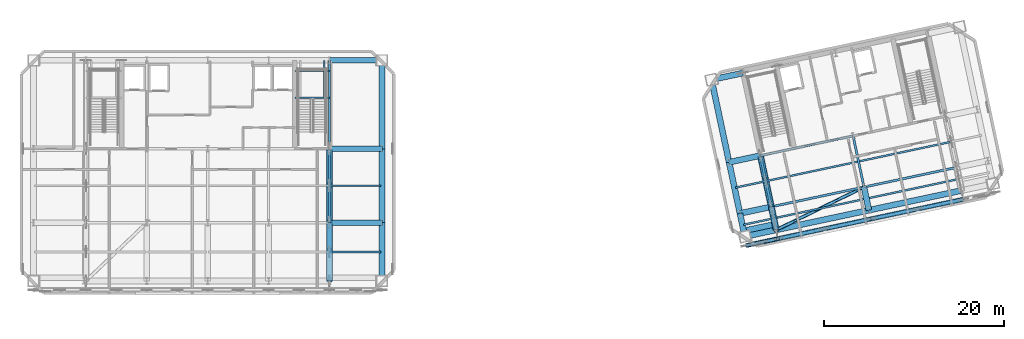
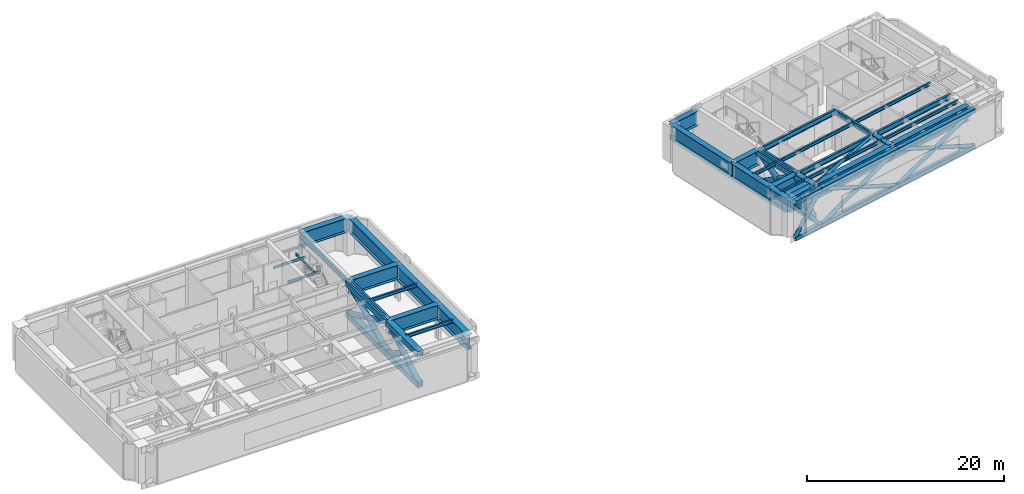
# One storey, part 4 of 15: 36 beams, 35 members.
"""IFC4 building model written with IfcOpenShell, lengths in metres."""

import ifcopenshell
import ifcopenshell.guid

model = None  # the IFC model being written
_history = None  # IfcOwnerHistory: only IFC2X3 demands one
_inside = {}  # id of a spatial element -> (the spatial element, [elements in it])
_under = {}  # id of a project, library or spatial element -> (it, [spatial elements below it])
_declared = {}  # id of a project -> (the project, [libraries it declares])
_typed = {}  # id of a type object -> (the type object, [elements of that type])
_made_of = {}  # id of a material, layer set ... -> (it, [elements and type objects made of it])


def new_model(schema):
    """Start an empty IFC model of exactly this schema.

    Asked for "IFC4X3", IfcOpenShell would pick the latest addendum, in which some entities
    have other attributes; the version numbers below select the first issue.
    IFC2X3 requires an IfcOwnerHistory on every rooted entity: one is made here for all.
    """
    global model, _history
    if schema == "IFC4X3":
        model = ifcopenshell.file(schema_version=(4, 3, 0, 0))
    else:
        model = ifcopenshell.file(schema=schema)
    _inside.clear()
    _under.clear()
    _declared.clear()
    _typed.clear()
    _made_of.clear()
    _history = None
    if model.schema == "IFC2X3":
        org = make("IfcOrganization", Name="unknown")
        user = make(
            "IfcPersonAndOrganization",
            ThePerson=make("IfcPerson", FamilyName="unknown"),
            TheOrganization=org,
        )
        app = make(
            "IfcApplication",
            ApplicationDeveloper=org,
            Version="unknown",
            ApplicationFullName="unknown",
            ApplicationIdentifier="unknown",
        )
        _history = make(
            "IfcOwnerHistory",
            OwningUser=user,
            OwningApplication=app,
            ChangeAction="ADDED",
            CreationDate=0,
        )
    return model


def make(cls, **values):
    """One entity of the class cls with the attributes given. An attribute that is None is left unset."""
    return model.create_entity(
        cls, **{name: value for name, value in values.items() if value is not None}
    )


def rooted(cls, **values):
    """An entity with a GlobalId (a new one), such as an element, a storey or a relation."""
    return make(cls, GlobalId=ifcopenshell.guid.new(), OwnerHistory=_history, **values)


def si_unit(unit_type, name, prefix=None):
    """IfcSIUnit, for example si_unit("LENGTHUNIT", "METRE", prefix="MILLI")."""
    return make("IfcSIUnit", UnitType=unit_type, Prefix=prefix, Name=name)


def assignment(units):
    """IfcUnitAssignment: the units of a project."""
    return None if units is None else make("IfcUnitAssignment", Units=units)


def point(xyz):
    """IfcCartesianPoint."""
    return None if xyz is None else make("IfcCartesianPoint", Coordinates=xyz)


def direction(xyz):
    """IfcDirection."""
    return None if xyz is None else make("IfcDirection", DirectionRatios=xyz)


def frame(location, z_axis=None, x_axis=None):
    """IfcAxis2Placement3D, a coordinate frame: its origin and axes. An axis left out is left unset."""
    return make(
        "IfcAxis2Placement3D",
        Location=point(location),
        Axis=direction(z_axis),
        RefDirection=direction(x_axis),
    )


def frame_2d(location, x_axis=None):
    """IfcAxis2Placement2D, a coordinate frame in the plane: its origin and x axis."""
    return make(
        "IfcAxis2Placement2D", Location=point(location), RefDirection=direction(x_axis)
    )


def origin():
    """The frame at (0, 0, 0) with its axes left unset."""
    return frame((0.0, 0.0, 0.0))


def origin_2d():
    """The frame at (0, 0) in the plane with its x axis left unset."""
    return frame_2d((0.0, 0.0))


def place(relative_to, where):
    """IfcLocalPlacement: puts the frame where relative to a parent placement (None: the world)."""
    return make(
        "IfcLocalPlacement", PlacementRelTo=relative_to, RelativePlacement=where
    )


def context(
    kind, dimensions, precision=None, world=None, true_north=None, identifier=None
):
    """IfcGeometricRepresentationContext, for example the 3D "Model" context."""
    return make(
        "IfcGeometricRepresentationContext",
        ContextIdentifier=identifier,
        ContextType=kind,
        CoordinateSpaceDimension=dimensions,
        Precision=precision,
        WorldCoordinateSystem=world,
        TrueNorth=true_north,
    )


def subcontext(parent, identifier, kind, view, scale=None):
    """IfcGeometricRepresentationSubContext, for example "Body" below "Model"."""
    return make(
        "IfcGeometricRepresentationSubContext",
        ContextIdentifier=identifier,
        ContextType=kind,
        ParentContext=parent,
        TargetScale=scale,
        TargetView=view,
    )


def project(units=None, contexts=None):
    """IfcProject with its units and contexts."""
    return rooted(
        "IfcProject",
        Name="project",
        RepresentationContexts=contexts,
        UnitsInContext=assignment(units),
    )


def spatial(cls, under=None, at=None, **own):
    """A site, building, storey or space (cls), placed at a placement, below another one or the project."""
    s = rooted(cls, ObjectPlacement=at, **own)
    if under is not None:
        _under.setdefault(under.id(), (under, []))[1].append(s)
    return s


def profile(cls, at=None, kind="AREA", **sizes):
    """A parametric profile (cls). Its sizes go by their IFC names, for example OverallWidth=200.0."""
    return make(cls, ProfileType=kind, Position=at, **sizes)


def hollow_rectangle(**sizes):
    """IfcRectangleHollowProfileDef."""
    return profile("IfcRectangleHollowProfileDef", **sizes)


def hollow_circle(**sizes):
    """IfcCircleHollowProfileDef."""
    return profile("IfcCircleHollowProfileDef", **sizes)


def i_section(**sizes):
    """IfcIShapeProfileDef."""
    return profile("IfcIShapeProfileDef", **sizes)


def extrude(swept, where, along, depth):
    """IfcExtrudedAreaSolid: the profile swept, set in the frame where, extruded along a direction by depth."""
    return make(
        "IfcExtrudedAreaSolid",
        SweptArea=swept,
        Position=where,
        ExtrudedDirection=direction(along),
        Depth=depth,
    )


def shape(context_of_items, identifier, shape_type, items):
    """IfcShapeRepresentation: the items that make up one representation, for example the "Body"."""
    return make(
        "IfcShapeRepresentation",
        ContextOfItems=context_of_items,
        RepresentationIdentifier=identifier,
        RepresentationType=shape_type,
        Items=items,
    )


def material(Name=None, Category=None):
    """IfcMaterial."""
    return make("IfcMaterial", Name=Name, Category=Category)


def material_profile(
    of_material, cross_section, Name=None, Category=None, Priority=None
):
    """IfcMaterialProfile: a cross section and its material."""
    return make(
        "IfcMaterialProfile",
        Name=Name,
        Material=of_material,
        Profile=cross_section,
        Priority=Priority,
        Category=Category,
    )


def profile_set(profiles, Name=None, composite=None):
    """IfcMaterialProfileSet."""
    return make(
        "IfcMaterialProfileSet",
        Name=Name,
        MaterialProfiles=profiles,
        CompositeProfile=composite,
    )


def made_of(thing, what):
    """Note that an element or type object is made of a material, layer set ...; save() writes the relation."""
    if what is not None:
        _made_of.setdefault(what.id(), (what, []))[1].append(thing)
    return thing


def type_object(cls, material=None, **own):
    """A type object (cls), such as IfcWallType, which elements share."""
    return made_of(rooted(cls, **own), material)


def element(
    cls,
    number,
    at=None,
    inside=None,
    cuts=None,
    type_object=None,
    material=None,
    context=None,
    identifier="Body",
    shape_type=None,
    held_by="IfcProductDefinitionShape",
    body=None,
    shapes=None,
    **own,
):
    """One element of the class cls, such as IfcWall. Its Tag is "e" and its number.

    at: its placement. inside: the storey or other place that contains it. cuts: it is an
    opening in that element (IfcRelVoidsElement). A single representation is given by context,
    identifier, shape_type and body (its items); several are given by shapes. held_by: the class
    of the entity that holds the representations. save() writes the other relations.
    """
    e = rooted(cls, Tag="e%d" % number, ObjectPlacement=at, **own)
    if body is not None:
        shapes = [shape(context, identifier, shape_type, body)]
    if shapes is not None:
        e.Representation = make(held_by, Representations=shapes)
    if inside is not None:
        _inside.setdefault(inside.id(), (inside, []))[1].append(e)
    if cuts is not None:
        rooted(
            "IfcRelVoidsElement", RelatingBuildingElement=cuts, RelatedOpeningElement=e
        )
    if type_object is not None:
        _typed.setdefault(type_object.id(), (type_object, []))[1].append(e)
    return made_of(e, material)


def aggregate(whole, parts):
    """IfcRelAggregates: a whole, such as a stair, and the parts it consists of."""
    return rooted("IfcRelAggregates", RelatingObject=whole, RelatedObjects=parts)


def save(model, path):
    """Write the relations noted so far, then the file.

    IfcRelAggregates (storeys below a building ...), IfcRelContainedInSpatialStructure (elements
    in a storey), IfcRelDefinesByType, IfcRelAssociatesMaterial and IfcRelDeclares: one each for
    every whole, place, type object, material and project.
    """
    for whole, parts in _under.values():
        aggregate(whole, parts)
    for where, things in _inside.values():
        rooted(
            "IfcRelContainedInSpatialStructure",
            RelatedElements=things,
            RelatingStructure=where,
        )
    for kind, things in _typed.values():
        rooted("IfcRelDefinesByType", RelatedObjects=things, RelatingType=kind)
    for what, things in _made_of.values():
        rooted("IfcRelAssociatesMaterial", RelatedObjects=things, RelatingMaterial=what)
    for by, libraries in _declared.values():
        rooted("IfcRelDeclares", RelatingContext=by, RelatedDefinitions=libraries)
    model.write(path)


model = new_model("IFC4")

# Units and contexts
model_context = context("Model", 3, precision=1e-05, world=origin(), true_north=direction((0.0, 1.0)))
body_context = subcontext(model_context, "Body", "Model", "MODEL_VIEW")
ifc_project = project(units=[si_unit("LENGTHUNIT", "METRE"), si_unit("AREAUNIT", "SQUARE_METRE"), si_unit("VOLUMEUNIT", "CUBIC_METRE"), si_unit("PLANEANGLEUNIT", "RADIAN"), si_unit("MASSUNIT", "GRAM", prefix="KILO")], contexts=[model_context])

# Site, building, storey
site_placement = place(None, origin())
site = spatial("IfcSite", under=ifc_project, at=site_placement, CompositionType="ELEMENT")
building_placement = place(site_placement, origin())
building = spatial("IfcBuilding", under=site, at=building_placement, Name="Haevon Station Towers", CompositionType="ELEMENT")
storey_placement = place(building_placement, frame((0.0, 0.0, 192.300048828125)))
storey = spatial("IfcBuildingStorey", under=building, at=storey_placement, Name="L53", CompositionType="ELEMENT", Elevation=192.300048828125)

# Beams
ifc_material_1 = material(Name="Steel S355", Category="steel")
ifc_material_profile_1 = material_profile(ifc_material_1, i_section(OverallWidth=0.25, OverallDepth=0.64990234375, WebThickness=0.012939453125, FlangeThickness=0.02197265625, at=origin_2d()), Name="H-650x250x13x22")
ifc_profile_set_1 = profile_set([ifc_material_profile_1], Name="Steel S355")
beam_type_1 = type_object("IfcBeamType", Name="BM-G650", PredefinedType="BEAM", material=ifc_profile_set_1)
beam_1_placement = place(storey_placement, frame((51.0, 30.0, 4.175048828125), z_axis=(0.0, 1.0, 0.0), x_axis=(-1.0, 0.0, 0.0)))
element("IfcBeam", 1, at=beam_1_placement, inside=storey, type_object=beam_type_1, Name="BM-T1V-L53-06-02", PredefinedType="BEAM", context=body_context, shape_type="SweptSolid", body=[
    extrude(i_section(OverallWidth=0.25, OverallDepth=0.64990234375, WebThickness=0.012939453125, FlangeThickness=0.02197265625, at=origin_2d()), origin(), (0.0, 0.0, 1.0), 8.199951171875),
])
beam_2_placement = place(storey_placement, frame((51.0, 38.199951171875, 4.175048828125), z_axis=(0.0, 1.0, 0.0), x_axis=(-1.0, 0.0, 0.0)))
element("IfcBeam", 2, at=beam_2_placement, inside=storey, type_object=beam_type_1, Name="BM-T1V-L53-06-03", PredefinedType="BEAM", context=body_context, shape_type="SweptSolid", body=[
    extrude(i_section(OverallWidth=0.25, OverallDepth=0.64990234375, WebThickness=0.012939453125, FlangeThickness=0.02197265625, at=origin_2d()), origin(), (0.0, 0.0, 1.0), 9.800048828125),
])
for number, where, z_axis, x_axis, name in (
    (3, (99.958251953125, 31.76904296875, 4.175048828125), (0.978146794194, 0.207915485254, 0.0), (-0.207915485254, 0.978146794194, 0.0), "BM-T2U-L53-02-02"),
    (4, (110.228759765625, 33.9521484375, 4.175048828125), (0.978146794194, 0.207915485254, 0.0), (-0.207915485254, 0.978146794194, 0.0), "BM-T2U-L53-02-03"),
    (5, (98.75244140625, 37.4423828125, 4.175048828125), (0.978146794194, 0.207915485254, 0.0), (-0.207915485254, 0.978146794194, 0.0), "BM-T2U-L53-03-02"),
):
    element("IfcBeam", number, at=place(storey_placement, frame(where, z_axis=z_axis, x_axis=x_axis)), inside=storey, type_object=beam_type_1, Name=name, PredefinedType="BEAM", context=body_context, shape_type="SweptSolid", body=[
        extrude(i_section(OverallWidth=0.25, OverallDepth=0.64990234375, WebThickness=0.012939453125, FlangeThickness=0.02197265625, at=origin_2d()), origin(), (0.0, 0.0, 1.0), 10.5),
    ])
for number, where, z_axis, x_axis, name in (
    (6, (99.958251953125, 31.76904296875, 4.175048828125), (-0.207896009217, 0.97815093383, 0.0), (-0.97815093383, -0.207896009217, 0.0), "BM-T2V-L53-02-02"),
    (7, (110.228759765625, 33.9521484375, 4.175048828125), (-0.207896009217, 0.97815093383, 0.0), (-0.97815093383, -0.207896009217, 0.0), "BM-T2V-L53-03-02"),
):
    element("IfcBeam", number, at=place(storey_placement, frame(where, z_axis=z_axis, x_axis=x_axis)), inside=storey, type_object=beam_type_1, Name=name, PredefinedType="BEAM", context=body_context, shape_type="SweptSolid", body=[
        extrude(i_section(OverallWidth=0.25, OverallDepth=0.64990234375, WebThickness=0.012939453125, FlangeThickness=0.02197265625, at=origin_2d()), origin(), (0.0, 0.0, 1.0), 5.800048828125),
    ])
ifc_material_profile_2 = material_profile(ifc_material_1, i_section(OverallWidth=0.199951171875, OverallDepth=0.39990234375, WebThickness=0.008056640625, FlangeThickness=0.012939453125, at=origin_2d()), Name="H-400x200x8x13")
ifc_profile_set_2 = profile_set([ifc_material_profile_2], Name="Steel S355")
beam_type_2 = type_object("IfcBeamType", Name="BM-J400", PredefinedType="JOIST", material=ifc_profile_set_2)
for number, where, z_axis, x_axis, name in (
    (8, (51.110107421875, 26.77490234375, 4.300048828125), (1.0, 0.0, 0.0), (0.0, 1.0, 0.0), "BM-T1J-L53-01-06"),
    (9, (51.110107421875, 34.10009765625, 4.300048828125), (1.0, 0.0, 0.0), (0.0, 1.0, 0.0), "BM-T1J-L53-02-06"),
):
    element("IfcBeam", number, at=place(storey_placement, frame(where, z_axis=z_axis, x_axis=x_axis)), inside=storey, type_object=beam_type_2, Name=name, PredefinedType="JOIST", context=body_context, shape_type="SweptSolid", body=[
        extrude(i_section(OverallWidth=0.199951171875, OverallDepth=0.39990234375, WebThickness=0.008056640625, FlangeThickness=0.012939453125, at=origin_2d()), origin(), (0.0, 0.0, 1.0), 5.579833984375),
    ])
beam_3_placement = place(storey_placement, frame((96.86572265625, 29.7724609375, 4.300048828125), z_axis=(0.978146551768, 0.207916625754, 0.0), x_axis=(-0.207916625754, 0.978146551768, 0.0)))
element("IfcBeam", 10, at=beam_3_placement, inside=storey, type_object=beam_type_2, Name="BM-T2J-L53-01-01", PredefinedType="JOIST", context=body_context, shape_type="SweptSolid", body=[
    extrude(i_section(OverallWidth=0.199951171875, OverallDepth=0.39990234375, WebThickness=0.008056640625, FlangeThickness=0.012939453125, at=origin_2d()), origin(), (0.0, 0.0, 1.0), 3.330078125),
])
for number, where, z_axis, x_axis, name in (
    (11, (100.338134765625, 30.5107421875, 4.300048828125), (0.978150339653, 0.207898804801, 0.0), (-0.207898804801, 0.978150339653, 0.0), "BM-T2J-L53-01-02"),
    (12, (110.608642578125, 32.693603515625, 4.300048828125), (0.978145509903, 0.207921527161, 0.0), (-0.207921527161, 0.978145509903, 0.0), "BM-T2J-L53-01-03"),
):
    element("IfcBeam", number, at=place(storey_placement, frame(where, z_axis=z_axis, x_axis=x_axis)), inside=storey, type_object=beam_type_2, Name=name, PredefinedType="JOIST", context=body_context, shape_type="SweptSolid", body=[
        extrude(i_section(OverallWidth=0.199951171875, OverallDepth=0.39990234375, WebThickness=0.008056640625, FlangeThickness=0.012939453125, at=origin_2d()), origin(), (0.0, 0.0, 1.0), 10.280029296875),
    ])
beam_4_placement = place(storey_placement, frame((95.990478515625, 33.890625, 4.300048828125), z_axis=(0.978146551768, 0.207916625754, 0.0), x_axis=(-0.207916625754, 0.978146551768, 0.0)))
element("IfcBeam", 13, at=beam_4_placement, inside=storey, type_object=beam_type_2, Name="BM-T2J-L53-02-01", PredefinedType="JOIST", context=body_context, shape_type="SweptSolid", body=[
    extrude(i_section(OverallWidth=0.199951171875, OverallDepth=0.39990234375, WebThickness=0.008056640625, FlangeThickness=0.012939453125, at=origin_2d()), origin(), (0.0, 0.0, 1.0), 3.330078125),
])
for number, where, z_axis, x_axis, name in (
    (14, (99.462890625, 34.628662109375, 4.300048828125), (0.978150339653, 0.207898804801, 0.0), (-0.207898804801, 0.978150339653, 0.0), "BM-T2J-L53-02-02"),
    (15, (109.7333984375, 36.811767578125, 4.300048828125), (0.978150339653, 0.207898804801, 0.0), (-0.207898804801, 0.978150339653, 0.0), "BM-T2J-L53-02-03"),
):
    element("IfcBeam", number, at=place(storey_placement, frame(where, z_axis=z_axis, x_axis=x_axis)), inside=storey, type_object=beam_type_2, Name=name, PredefinedType="JOIST", context=body_context, shape_type="SweptSolid", body=[
        extrude(i_section(OverallWidth=0.199951171875, OverallDepth=0.39990234375, WebThickness=0.008056640625, FlangeThickness=0.012939453125, at=origin_2d()), origin(), (0.0, 0.0, 1.0), 10.280029296875),
    ])
ifc_material_profile_3 = material_profile(ifc_material_1, i_section(OverallWidth=0.14990234375, OverallDepth=0.300048828125, WebThickness=0.006591796875, FlangeThickness=0.009033203125, at=origin_2d()), Name="H-300x150x6.5x9")
ifc_profile_set_3 = profile_set([ifc_material_profile_3], Name="Steel S355")
beam_type_3 = type_object("IfcBeamType", Name="BM-LIN300", PredefinedType="LINTEL", material=ifc_profile_set_3)
for number, where, z_axis, x_axis, name in (
    (16, (47.14990234375, 43.864013671875, 2.050048828125), (1.0, 0.0, 0.0), (0.0, 1.0, 0.0), "BM-ST2L-L53-1-S"),
    (17, (47.14990234375, 46.820068359375, 2.050048828125), (1.0, 0.0, 0.0), (0.0, 1.0, 0.0), "BM-ST2L-L53-1-N"),
):
    element("IfcBeam", number, at=place(storey_placement, frame(where, z_axis=z_axis, x_axis=x_axis)), inside=storey, type_object=beam_type_3, Name=name, PredefinedType="LINTEL", context=body_context, shape_type="SweptSolid", body=[
        extrude(i_section(OverallWidth=0.14990234375, OverallDepth=0.300048828125, WebThickness=0.006591796875, FlangeThickness=0.009033203125, at=origin_2d()), origin(), (0.0, 0.0, 1.0), 3.85009765625),
    ])
beam_5_placement = place(storey_placement, frame((50.39990234375, 43.864013671875, 2.050048828125), z_axis=(0.0, 1.0, 0.0), x_axis=(-1.0, 0.0, 0.0)))
element("IfcBeam", 18, at=beam_5_placement, inside=storey, type_object=beam_type_3, Name="BM-ST2L-L53-1-E", PredefinedType="LINTEL", context=body_context, shape_type="SweptSolid", body=[
    extrude(i_section(OverallWidth=0.14990234375, OverallDepth=0.300048828125, WebThickness=0.006591796875, FlangeThickness=0.009033203125, at=origin_2d()), origin(), (0.0, 0.0, 1.0), 4.135986328125),
])
ifc_material_2 = material(Name="Steel S460", Category="steel")
ifc_material_profile_4 = material_profile(ifc_material_2, i_section(OverallWidth=0.64990234375, OverallDepth=1.800048828125, WebThickness=0.02490234375, FlangeThickness=0.0400390625, at=origin_2d()), Name="H-1800x650x25x40")
ifc_profile_set_4 = profile_set([ifc_material_profile_4], Name="Steel S460")
beam_type_4 = type_object("IfcBeamType", Name="BM-TG1800", PredefinedType="BEAM", material=ifc_profile_set_4)
for number, where, z_axis, x_axis, name in (
    (19, (51.0, 30.0, 3.599853515625), (1.0, 0.0, 0.0), (0.0, 1.0, 0.0), "BM-T1U-L53-02-06"),
    (20, (51.0, 38.199951171875, 3.599853515625), (1.0, 0.0, 0.0), (0.0, 1.0, 0.0), "BM-T1U-L53-03-06"),
    (21, (51.0, 48.0, 3.599853515625), (1.0, 0.0, 0.0), (0.0, 1.0, 0.0), "BM-T1U-L53-04-06"),
):
    element("IfcBeam", number, at=place(storey_placement, frame(where, z_axis=z_axis, x_axis=x_axis)), inside=storey, type_object=beam_type_4, Name=name, PredefinedType="BEAM", context=body_context, shape_type="SweptSolid", body=[
        extrude(i_section(OverallWidth=0.64990234375, OverallDepth=1.800048828125, WebThickness=0.02490234375, FlangeThickness=0.0400390625, at=origin_2d()), origin(), (0.0, 0.0, 1.0), 5.800048828125),
    ])
beam_6_placement = place(storey_placement, frame((56.800048828125, 23.550048828125, 3.599853515625), z_axis=(0.0, 1.0, 0.0), x_axis=(-1.0, 0.0, 0.0)))
element("IfcBeam", 22, at=beam_6_placement, inside=storey, type_object=beam_type_4, Name="BM-T1V-L53-07-01", PredefinedType="BEAM", context=body_context, shape_type="SweptSolid", body=[
    extrude(i_section(OverallWidth=0.64990234375, OverallDepth=1.800048828125, WebThickness=0.02490234375, FlangeThickness=0.0400390625, at=origin_2d()), origin(), (0.0, 0.0, 1.0), 6.449951171875),
])
beam_7_placement = place(storey_placement, frame((56.800048828125, 30.0, 3.599853515625), z_axis=(0.0, 1.0, 0.0), x_axis=(-1.0, 0.0, 0.0)))
element("IfcBeam", 23, at=beam_7_placement, inside=storey, type_object=beam_type_4, Name="BM-T1V-L53-07-02", PredefinedType="BEAM", context=body_context, shape_type="SweptSolid", body=[
    extrude(i_section(OverallWidth=0.64990234375, OverallDepth=1.800048828125, WebThickness=0.02490234375, FlangeThickness=0.0400390625, at=origin_2d()), origin(), (0.0, 0.0, 1.0), 8.199951171875),
])
beam_8_placement = place(storey_placement, frame((56.800048828125, 38.199951171875, 3.599853515625), z_axis=(0.0, 1.0, 0.0), x_axis=(-1.0, 0.0, 0.0)))
element("IfcBeam", 24, at=beam_8_placement, inside=storey, type_object=beam_type_4, Name="BM-T1V-L53-07-03", PredefinedType="BEAM", context=body_context, shape_type="SweptSolid", body=[
    extrude(i_section(OverallWidth=0.64990234375, OverallDepth=1.800048828125, WebThickness=0.02490234375, FlangeThickness=0.0400390625, at=origin_2d()), origin(), (0.0, 0.0, 1.0), 9.800048828125),
])
beam_9_placement = place(storey_placement, frame((97.030517578125, 28.46826171875, 3.599853515625), z_axis=(0.978150285663, 0.207899058817, 0.0), x_axis=(-0.207899058817, 0.978150285663, 0.0)))
element("IfcBeam", 25, at=beam_9_placement, inside=storey, type_object=beam_type_4, Name="BM-T2U-L53-01-01", PredefinedType="BEAM", context=body_context, shape_type="SweptSolid", body=[
    extrude(i_section(OverallWidth=0.64990234375, OverallDepth=1.800048828125, WebThickness=0.02490234375, FlangeThickness=0.0400390625, at=origin_2d()), origin(), (0.0, 0.0, 1.0), 3.550048828125),
])
for number, where, z_axis, x_axis, name in (
    (26, (100.5029296875, 29.206298828125, 3.599853515625), (0.978146794194, 0.207915485254, 0.0), (-0.207915485254, 0.978146794194, 0.0), "BM-T2U-L53-01-02"),
    (27, (110.7734375, 31.389404296875, 3.599853515625), (0.978146794194, 0.207915485254, 0.0), (-0.207915485254, 0.978146794194, 0.0), "BM-T2U-L53-01-03"),
):
    element("IfcBeam", number, at=place(storey_placement, frame(where, z_axis=z_axis, x_axis=x_axis)), inside=storey, type_object=beam_type_4, Name=name, PredefinedType="BEAM", context=body_context, shape_type="SweptSolid", body=[
        extrude(i_section(OverallWidth=0.64990234375, OverallDepth=1.800048828125, WebThickness=0.02490234375, FlangeThickness=0.0400390625, at=origin_2d()), origin(), (0.0, 0.0, 1.0), 10.5),
    ])
for number, where, z_axis, x_axis, name in (
    (28, (96.48583984375, 31.031005859375, 3.599853515625), (0.978150285663, 0.207899058817, 0.0), (-0.207899058817, 0.978150285663, 0.0), "BM-T2U-L53-02-01"),
    (29, (95.280029296875, 36.704345703125, 3.599853515625), (0.978150285663, 0.207899058817, 0.0), (-0.207899058817, 0.978150285663, 0.0), "BM-T2U-L53-03-01"),
    (30, (93.3359375, 45.85009765625, 3.599853515625), (0.978150285663, 0.207899058817, 0.0), (-0.207899058817, 0.978150285663, 0.0), "BM-T2U-L53-04-01"),
):
    element("IfcBeam", number, at=place(storey_placement, frame(where, z_axis=z_axis, x_axis=x_axis)), inside=storey, type_object=beam_type_4, Name=name, PredefinedType="BEAM", context=body_context, shape_type="SweptSolid", body=[
        extrude(i_section(OverallWidth=0.64990234375, OverallDepth=1.800048828125, WebThickness=0.02490234375, FlangeThickness=0.0400390625, at=origin_2d()), origin(), (0.0, 0.0, 1.0), 3.550048828125),
    ])
beam_10_placement = place(storey_placement, frame((97.030517578125, 28.46826171875, 3.599853515625), z_axis=(-0.207893304367, 0.978151508714, 0.0), x_axis=(-0.978151508714, -0.207893304367, 0.0)))
element("IfcBeam", 31, at=beam_10_placement, inside=storey, type_object=beam_type_4, Name="BM-T2V-L53-01-01", PredefinedType="BEAM", context=body_context, shape_type="SweptSolid", body=[
    extrude(i_section(OverallWidth=0.64990234375, OverallDepth=1.800048828125, WebThickness=0.02490234375, FlangeThickness=0.0400390625, at=origin_2d()), origin(), (0.0, 0.0, 1.0), 2.619873046875),
])
beam_11_placement = place(storey_placement, frame((96.48583984375, 31.031005859375, 3.599853515625), z_axis=(-0.207896009217, 0.97815093383, 0.0), x_axis=(-0.97815093383, -0.207896009217, 0.0)))
element("IfcBeam", 32, at=beam_11_placement, inside=storey, type_object=beam_type_4, Name="BM-T2V-L53-01-02", PredefinedType="BEAM", context=body_context, shape_type="SweptSolid", body=[
    extrude(i_section(OverallWidth=0.64990234375, OverallDepth=1.800048828125, WebThickness=0.02490234375, FlangeThickness=0.0400390625, at=origin_2d()), origin(), (0.0, 0.0, 1.0), 5.800048828125),
])
beam_12_placement = place(storey_placement, frame((95.280029296875, 36.704345703125, 3.599853515625), z_axis=(-0.207922149488, 0.978145377616, 0.0), x_axis=(-0.978145377616, -0.207922149488, 0.0)))
element("IfcBeam", 33, at=beam_12_placement, inside=storey, type_object=beam_type_4, Name="BM-T2V-L53-01-03", PredefinedType="BEAM", context=body_context, shape_type="SweptSolid", body=[
    extrude(i_section(OverallWidth=0.64990234375, OverallDepth=1.800048828125, WebThickness=0.02490234375, FlangeThickness=0.0400390625, at=origin_2d()), origin(), (0.0, 0.0, 1.0), 9.35009765625),
])
for number, where, z_axis, x_axis, name in (
    (34, (100.5029296875, 29.206298828125, 3.599853515625), (-0.207893304367, 0.978151508714, 0.0), (-0.978151508714, -0.207893304367, 0.0), "BM-T2V-L53-02-01"),
    (35, (110.7734375, 31.389404296875, 3.599853515625), (-0.207893304367, 0.978151508714, 0.0), (-0.978151508714, -0.207893304367, 0.0), "BM-T2V-L53-03-01"),
):
    element("IfcBeam", number, at=place(storey_placement, frame(where, z_axis=z_axis, x_axis=x_axis)), inside=storey, type_object=beam_type_4, Name=name, PredefinedType="BEAM", context=body_context, shape_type="SweptSolid", body=[
        extrude(i_section(OverallWidth=0.64990234375, OverallDepth=1.800048828125, WebThickness=0.02490234375, FlangeThickness=0.0400390625, at=origin_2d()), origin(), (0.0, 0.0, 1.0), 2.619873046875),
    ])
beam_13_placement = place(storey_placement, frame((96.8974609375, 29.09423828125, 3.599853515625), z_axis=(0.978136298328, 0.207964857354, 0.0), x_axis=(-0.207964857354, 0.978136298328, 0.0)))
element("IfcBeam", 36, at=beam_13_placement, inside=storey, type_object=beam_type_4, Name="BM-T2CTRN-L53-1", PredefinedType="BEAM", context=body_context, shape_type="SweptSolid", body=[
    extrude(i_section(OverallWidth=0.64990234375, OverallDepth=1.800048828125, WebThickness=0.02490234375, FlangeThickness=0.0400390625, at=origin_2d()), origin(), (0.0, 0.0, 1.0), 3.550048828125),
])

# Members
ifc_material_profile_5 = material_profile(ifc_material_2, hollow_circle(Radius=0.228515625, WallThickness=0.02001953125, at=origin_2d()), Name="CHS-457x20")
ifc_profile_set_5 = profile_set([ifc_material_profile_5], Name="Steel S460")
member_type_1 = type_object("IfcMemberType", Name="BRBLT-457", PredefinedType="BRACE", material=ifc_profile_set_5)
member_1_placement = place(storey_placement, frame((97.238525390625, 27.490234375, -0.080078125), z_axis=(0.609161394946, 0.129473029384, 0.782405987688), x_axis=(-0.207899058817, 0.978150285663, 0.0)))
element("IfcMember", 37, at=member_1_placement, inside=storey, type_object=member_type_1, Name="Tower 2 L53 Belt Truss Continuous Diagonal", PredefinedType="BRACE", context=body_context, shape_type="SweptSolid", body=[
    extrude(hollow_circle(Radius=0.228515625, WallThickness=0.02001953125, at=origin_2d()), origin(), (0.0, 0.0, 1.0), 5.7001953125),
])
for number, where, z_axis, x_axis, name in (
    (38, (97.238525390625, 27.490234375, 4.3798828125), (0.609147876576, 0.129482515924, -0.782414942682), (-0.207918047811, 0.978146249492, 0.0), "Tower 2 L53 Belt Truss Split Counter Diagonal Lower"),
    (39, (99.12109375, 27.890380859375, 1.961669921875), (0.60920671301, 0.129475136795, -0.782370353333), (-0.207887499324, 0.978152742482, 0.0), "Tower 2 L53 Belt Truss Split Counter Diagonal Upper"),
):
    element("IfcMember", number, at=place(storey_placement, frame(where, z_axis=z_axis, x_axis=x_axis)), inside=storey, type_object=member_type_1, Name=name, PredefinedType="BRACE", context=body_context, shape_type="SweptSolid", body=[
        extrude(hollow_circle(Radius=0.228515625, WallThickness=0.02001953125, at=origin_2d()), origin(), (0.0, 0.0, 1.0), 2.609619140625),
    ])
member_2_placement = place(storey_placement, frame((100.7109375, 28.228271484375, -0.080078125), z_axis=(0.900296638878, 0.191367608274, 0.390953194804), x_axis=(-0.207915485254, 0.978146794194, 0.0)))
element("IfcMember", 40, at=member_2_placement, inside=storey, type_object=member_type_1, Name="Tower 2 L53 Belt Truss Continuous Diagonal", PredefinedType="BRACE", context=body_context, shape_type="SweptSolid", body=[
    extrude(hollow_circle(Radius=0.228515625, WallThickness=0.02001953125, at=origin_2d()), origin(), (0.0, 0.0, 1.0), 11.407958984375),
])
for number, where, z_axis, x_axis, name in (
    (41, (100.7109375, 28.228271484375, 4.3798828125), (0.90029735284, 0.191347260876, -0.390961509902), (-0.207894176151, 0.978151323427, 0.0), "Tower 2 L53 Belt Truss Split Counter Diagonal Lower"),
    (42, (106.062744140625, 29.36572265625, 2.055908203125), (0.900289653935, 0.191390310607, -0.390958166589), (-0.207940627805, 0.97814144954, 0.0), "Tower 2 L53 Belt Truss Split Counter Diagonal Upper"),
):
    element("IfcMember", number, at=place(storey_placement, frame(where, z_axis=z_axis, x_axis=x_axis)), inside=storey, type_object=member_type_1, Name=name, PredefinedType="BRACE", context=body_context, shape_type="SweptSolid", body=[
        extrude(hollow_circle(Radius=0.228515625, WallThickness=0.02001953125, at=origin_2d()), origin(), (0.0, 0.0, 1.0), 5.46337890625),
    ])
member_3_placement = place(storey_placement, frame((110.9814453125, 30.411376953125, -0.080078125), z_axis=(0.900296638878, 0.191367608274, 0.390953194804), x_axis=(-0.207915485254, 0.978146794194, 0.0)))
element("IfcMember", 43, at=member_3_placement, inside=storey, type_object=member_type_1, Name="Tower 2 L53 Belt Truss Continuous Diagonal", PredefinedType="BRACE", context=body_context, shape_type="SweptSolid", body=[
    extrude(hollow_circle(Radius=0.228515625, WallThickness=0.02001953125, at=origin_2d()), origin(), (0.0, 0.0, 1.0), 11.407958984375),
])
for number, where, z_axis, x_axis, name in (
    (44, (110.9814453125, 30.411376953125, 4.3798828125), (0.90029735284, 0.191347260876, -0.390961509902), (-0.207894176151, 0.978151323427, 0.0), "Tower 2 L53 Belt Truss Split Counter Diagonal Lower"),
    (45, (116.333251953125, 31.548828125, 2.055908203125), (0.900289653935, 0.191390310607, -0.390958166589), (-0.207940627805, 0.97814144954, 0.0), "Tower 2 L53 Belt Truss Split Counter Diagonal Upper"),
):
    element("IfcMember", number, at=place(storey_placement, frame(where, z_axis=z_axis, x_axis=x_axis)), inside=storey, type_object=member_type_1, Name=name, PredefinedType="BRACE", context=body_context, shape_type="SweptSolid", body=[
        extrude(hollow_circle(Radius=0.228515625, WallThickness=0.02001953125, at=origin_2d()), origin(), (0.0, 0.0, 1.0), 5.46337890625),
    ])
ifc_material_profile_6 = material_profile(ifc_material_2, hollow_circle(Radius=0.3046875, WallThickness=0.02490234375, at=origin_2d()), Name="CHS-609.6x25")
ifc_profile_set_6 = profile_set([ifc_material_profile_6], Name="Steel S460")
member_type_2 = type_object("IfcMemberType", Name="BROUT-610", PredefinedType="BRACE", material=ifc_profile_set_6)
member_4_placement = place(storey_placement, frame((51.0, 23.550048828125, 0.349853515625), z_axis=(0.0, 0.861586091098, 0.507611473104), x_axis=(-1.0, 0.0, 0.0)))
element("IfcMember", 46, at=member_4_placement, inside=storey, type_object=member_type_2, Name="Tower 1 L53 Outrigger Truss Continuous Web Brace", PredefinedType="BRACE", context=body_context, shape_type="SweptSolid", body=[
    extrude(hollow_circle(Radius=0.3046875, WallThickness=0.02490234375, at=origin_2d()), origin(), (0.0, 0.0, 1.0), 7.486083984375),
])
member_5_placement = place(storey_placement, frame((51.0, 27.048095703125, 2.089111328125), z_axis=(0.0, 0.861600884581, -0.507586362789), x_axis=(-1.0, 0.0, 0.0)))
element("IfcMember", 47, at=member_5_placement, inside=storey, type_object=member_type_2, Name="Tower 1 L53 Outrigger Truss Split Counter Brace Upper", PredefinedType="BRACE", context=body_context, shape_type="SweptSolid", body=[
    extrude(hollow_circle(Radius=0.3046875, WallThickness=0.02490234375, at=origin_2d()), origin(), (0.0, 0.0, 1.0), 3.14599609375),
])
member_6_placement = place(storey_placement, frame((51.0, 30.0, 0.349853515625), z_axis=(0.0, 0.907307590294, 0.42046752145), x_axis=(-1.0, 0.0, 0.0)))
element("IfcMember", 48, at=member_6_placement, inside=storey, type_object=member_type_2, Name="Tower 1 L53 Outrigger Truss Continuous Web Brace", PredefinedType="BRACE", context=body_context, shape_type="SweptSolid", body=[
    extrude(hollow_circle(Radius=0.3046875, WallThickness=0.02490234375, at=origin_2d()), origin(), (0.0, 0.0, 1.0), 9.03759765625),
])
for number, where, z_axis, x_axis, name in (
    (49, (51.0, 30.254150390625, 4.0322265625), (0.0, 0.90731697792, -0.42044726373), (-1.0, 0.0, 0.0), "Tower 1 L53 Outrigger Truss Split Counter Brace Lower"),
    (50, (51.0, 34.3876953125, 2.11669921875), (0.0, 0.90731697792, -0.42044726373), (-1.0, 0.0, 0.0), "Tower 1 L53 Outrigger Truss Split Counter Brace Upper"),
):
    element("IfcMember", number, at=place(storey_placement, frame(where, z_axis=z_axis, x_axis=x_axis)), inside=storey, type_object=member_type_2, Name=name, PredefinedType="BRACE", context=body_context, shape_type="SweptSolid", body=[
        extrude(hollow_circle(Radius=0.3046875, WallThickness=0.02490234375, at=origin_2d()), origin(), (0.0, 0.0, 1.0), 3.921875),
    ])
member_7_placement = place(storey_placement, frame((100.5029296875, 29.206298828125, 0.349853515625), z_axis=(-0.118005401179, 0.555223082103, 0.823287346188), x_axis=(-0.978151508714, -0.207893304367, 0.0)))
element("IfcMember", 51, at=member_7_placement, inside=storey, type_object=member_type_2, Name="Tower 2 L53 Outrigger Truss Continuous Web Brace", PredefinedType="BRACE", context=body_context, shape_type="SweptSolid", body=[
    extrude(hollow_circle(Radius=0.3046875, WallThickness=0.02490234375, at=origin_2d()), origin(), (0.0, 0.0, 1.0), 4.61572265625),
])
for number, where, z_axis, x_axis, name in (
    (52, (100.469970703125, 29.36181640625, 3.91943359375), (-0.118016273097, 0.555261570276, -0.823259830101), (-0.97815054445, -0.207897841239, 0.0), "Tower 2 L53 Outrigger Truss Split Counter Brace Lower"),
    (53, (100.193115234375, 30.663818359375, 1.989013671875), (-0.118016273097, 0.555261570276, -0.823259830101), (-0.97815054445, -0.207897841239, 0.0), "Tower 2 L53 Outrigger Truss Split Counter Brace Upper"),
):
    element("IfcMember", number, at=place(storey_placement, frame(where, z_axis=z_axis, x_axis=x_axis)), inside=storey, type_object=member_type_2, Name=name, PredefinedType="BRACE", context=body_context, shape_type="SweptSolid", body=[
        extrude(hollow_circle(Radius=0.3046875, WallThickness=0.02490234375, at=origin_2d()), origin(), (0.0, 0.0, 1.0), 1.7109375),
    ])
member_8_placement = place(storey_placement, frame((99.958251953125, 31.76904296875, 0.349853515625), z_axis=(-0.173896852721, 0.818184868098, 0.548026829845), x_axis=(-0.97815093383, -0.207896009217, 0.0)))
element("IfcMember", 54, at=member_8_placement, inside=storey, type_object=member_type_2, Name="Tower 2 L53 Outrigger Truss Continuous Web Brace", PredefinedType="BRACE", context=body_context, shape_type="SweptSolid", body=[
    extrude(hollow_circle(Radius=0.3046875, WallThickness=0.02490234375, at=origin_2d()), origin(), (0.0, 0.0, 1.0), 6.93408203125),
])
member_9_placement = place(storey_placement, frame((99.909423828125, 31.998291015625, 3.99658203125), z_axis=(-0.173873334813, 0.818157404224, -0.548075291684), x_axis=(-0.978155232185, -0.207875784424, 0.0)))
element("IfcMember", 55, at=member_9_placement, inside=storey, type_object=member_type_2, Name="Tower 2 L53 Outrigger Truss Split Counter Brace Lower", PredefinedType="BRACE", context=body_context, shape_type="SweptSolid", body=[
    extrude(hollow_circle(Radius=0.3046875, WallThickness=0.02490234375, at=origin_2d()), origin(), (0.0, 0.0, 1.0), 2.8701171875),
])
member_10_placement = place(storey_placement, frame((99.300048828125, 34.865234375, 2.076171875), z_axis=(-0.1738814411, 0.81819554819, -0.548015774739), x_axis=(-0.978155232185, -0.207875784424, 0.0)))
element("IfcMember", 56, at=member_10_placement, inside=storey, type_object=member_type_2, Name="Tower 2 L53 Outrigger Truss Split Counter Brace Upper", PredefinedType="BRACE", context=body_context, shape_type="SweptSolid", body=[
    extrude(hollow_circle(Radius=0.3046875, WallThickness=0.02490234375, at=origin_2d()), origin(), (0.0, 0.0, 1.0), 2.869873046875),
])
ifc_material_profile_7 = material_profile(ifc_material_2, hollow_rectangle(XDim=0.5, YDim=0.5, WallThickness=0.02490234375, at=origin_2d()), Name="RHS-500x500x25")
ifc_profile_set_7 = profile_set([ifc_material_profile_7], Name="Steel S460")
member_type_3 = type_object("IfcMemberType", Name="CHBLT-500", PredefinedType="CHORD", material=ifc_profile_set_7)
for number, where, z_axis, x_axis, name in (
    (57, (97.238525390625, 27.490234375, -0.080078125), (0.978150285663, 0.207899058817, 0.0), (-0.207899058817, 0.978150285663, 0.0), "Tower 2 L53 Belt Truss Bottom Chord"),
    (58, (97.238525390625, 27.490234375, 4.3798828125), (0.978150285663, 0.207899058817, 0.0), (-0.207899058817, 0.978150285663, 0.0), "Tower 2 L53 Belt Truss Top Chord"),
):
    element("IfcMember", number, at=place(storey_placement, frame(where, z_axis=z_axis, x_axis=x_axis)), inside=storey, type_object=member_type_3, Name=name, PredefinedType="CHORD", context=body_context, shape_type="SweptSolid", body=[
        extrude(hollow_rectangle(XDim=0.5, YDim=0.5, WallThickness=0.02490234375, at=origin_2d()), origin(), (0.0, 0.0, 1.0), 3.550048828125),
    ])
for number, where, z_axis, x_axis, name in (
    (59, (100.7109375, 28.228271484375, -0.080078125), (0.978146794194, 0.207915485254, 0.0), (-0.207915485254, 0.978146794194, 0.0), "Tower 2 L53 Belt Truss Bottom Chord"),
    (60, (100.7109375, 28.228271484375, 4.3798828125), (0.978146794194, 0.207915485254, 0.0), (-0.207915485254, 0.978146794194, 0.0), "Tower 2 L53 Belt Truss Top Chord"),
    (61, (110.9814453125, 30.411376953125, -0.080078125), (0.978146794194, 0.207915485254, 0.0), (-0.207915485254, 0.978146794194, 0.0), "Tower 2 L53 Belt Truss Bottom Chord"),
    (62, (110.9814453125, 30.411376953125, 4.3798828125), (0.978146794194, 0.207915485254, 0.0), (-0.207915485254, 0.978146794194, 0.0), "Tower 2 L53 Belt Truss Top Chord"),
):
    element("IfcMember", number, at=place(storey_placement, frame(where, z_axis=z_axis, x_axis=x_axis)), inside=storey, type_object=member_type_3, Name=name, PredefinedType="CHORD", context=body_context, shape_type="SweptSolid", body=[
        extrude(hollow_rectangle(XDim=0.5, YDim=0.5, WallThickness=0.02490234375, at=origin_2d()), origin(), (0.0, 0.0, 1.0), 10.5),
    ])
ifc_material_profile_8 = material_profile(ifc_material_2, hollow_rectangle(XDim=0.699951171875, YDim=0.699951171875, WallThickness=0.034912109375, at=origin_2d()), Name="RHS-700x700x35")
ifc_profile_set_8 = profile_set([ifc_material_profile_8], Name="Steel S460")
member_type_4 = type_object("IfcMemberType", Name="CHOUT-700", PredefinedType="CHORD", material=ifc_profile_set_8)
for number, where, z_axis, x_axis, name in (
    (63, (51.0, 23.550048828125, 0.349853515625), (0.0, 1.0, 0.0), (-1.0, 0.0, 0.0), "Tower 1 L53 Outrigger Truss Bottom Chord"),
    (64, (51.0, 23.550048828125, 4.14990234375), (0.0, 1.0, 0.0), (-1.0, 0.0, 0.0), "Tower 1 L53 Outrigger Truss Top Chord"),
):
    element("IfcMember", number, at=place(storey_placement, frame(where, z_axis=z_axis, x_axis=x_axis)), inside=storey, type_object=member_type_4, Name=name, PredefinedType="CHORD", context=body_context, shape_type="SweptSolid", body=[
        extrude(hollow_rectangle(XDim=0.699951171875, YDim=0.699951171875, WallThickness=0.034912109375, at=origin_2d()), origin(), (0.0, 0.0, 1.0), 6.449951171875),
    ])
for number, where, z_axis, x_axis, name in (
    (65, (51.0, 30.0, 0.349853515625), (0.0, 1.0, 0.0), (-1.0, 0.0, 0.0), "Tower 1 L53 Outrigger Truss Bottom Chord"),
    (66, (51.0, 30.0, 4.14990234375), (0.0, 1.0, 0.0), (-1.0, 0.0, 0.0), "Tower 1 L53 Outrigger Truss Top Chord"),
):
    element("IfcMember", number, at=place(storey_placement, frame(where, z_axis=z_axis, x_axis=x_axis)), inside=storey, type_object=member_type_4, Name=name, PredefinedType="CHORD", context=body_context, shape_type="SweptSolid", body=[
        extrude(hollow_rectangle(XDim=0.699951171875, YDim=0.699951171875, WallThickness=0.034912109375, at=origin_2d()), origin(), (0.0, 0.0, 1.0), 8.199951171875),
    ])
for number, where, z_axis, x_axis, name in (
    (67, (100.5029296875, 29.206298828125, 0.349853515625), (-0.207893304367, 0.978151508714, 0.0), (-0.978151508714, -0.207893304367, 0.0), "Tower 2 L53 Outrigger Truss Bottom Chord"),
    (68, (100.5029296875, 29.206298828125, 4.14990234375), (-0.207893304367, 0.978151508714, 0.0), (-0.978151508714, -0.207893304367, 0.0), "Tower 2 L53 Outrigger Truss Top Chord"),
):
    element("IfcMember", number, at=place(storey_placement, frame(where, z_axis=z_axis, x_axis=x_axis)), inside=storey, type_object=member_type_4, Name=name, PredefinedType="CHORD", context=body_context, shape_type="SweptSolid", body=[
        extrude(hollow_rectangle(XDim=0.699951171875, YDim=0.699951171875, WallThickness=0.034912109375, at=origin_2d()), origin(), (0.0, 0.0, 1.0), 2.619873046875),
    ])
for number, where, z_axis, x_axis, name in (
    (69, (99.958251953125, 31.76904296875, 0.349853515625), (-0.207896009217, 0.97815093383, 0.0), (-0.97815093383, -0.207896009217, 0.0), "Tower 2 L53 Outrigger Truss Bottom Chord"),
    (70, (99.958251953125, 31.76904296875, 4.14990234375), (-0.207896009217, 0.97815093383, 0.0), (-0.97815093383, -0.207896009217, 0.0), "Tower 2 L53 Outrigger Truss Top Chord"),
):
    element("IfcMember", number, at=place(storey_placement, frame(where, z_axis=z_axis, x_axis=x_axis)), inside=storey, type_object=member_type_4, Name=name, PredefinedType="CHORD", context=body_context, shape_type="SweptSolid", body=[
        extrude(hollow_rectangle(XDim=0.699951171875, YDim=0.699951171875, WallThickness=0.034912109375, at=origin_2d()), origin(), (0.0, 0.0, 1.0), 5.800048828125),
    ])
ifc_material_profile_9 = material_profile(ifc_material_1, hollow_circle(Radius=0.177734375, WallThickness=0.01611328125, at=origin_2d()), Name="CHS-355.6x16")
ifc_profile_set_9 = profile_set([ifc_material_profile_9], Name="Steel S355")
member_type_5 = type_object("IfcMemberType", Name="STTIE-356", PredefinedType="STRUT", material=ifc_profile_set_9)
member_11_placement = place(storey_placement, frame((100.5029296875, 29.206298828125, 4.33984375), z_axis=(0.898712282845, 0.43853874705, 0.0), x_axis=(-0.43853874705, 0.898712282845, 0.0)))
element("IfcMember", 71, at=member_11_placement, inside=storey, type_object=member_type_5, Name="ST-T2TIE-L53", PredefinedType="STRUT", context=body_context, shape_type="SweptSolid", body=[
    extrude(hollow_circle(Radius=0.177734375, WallThickness=0.01611328125, at=origin_2d()), origin(), (0.0, 0.0, 1.0), 10.822021484375),
])

save(model, "model.ifc")
